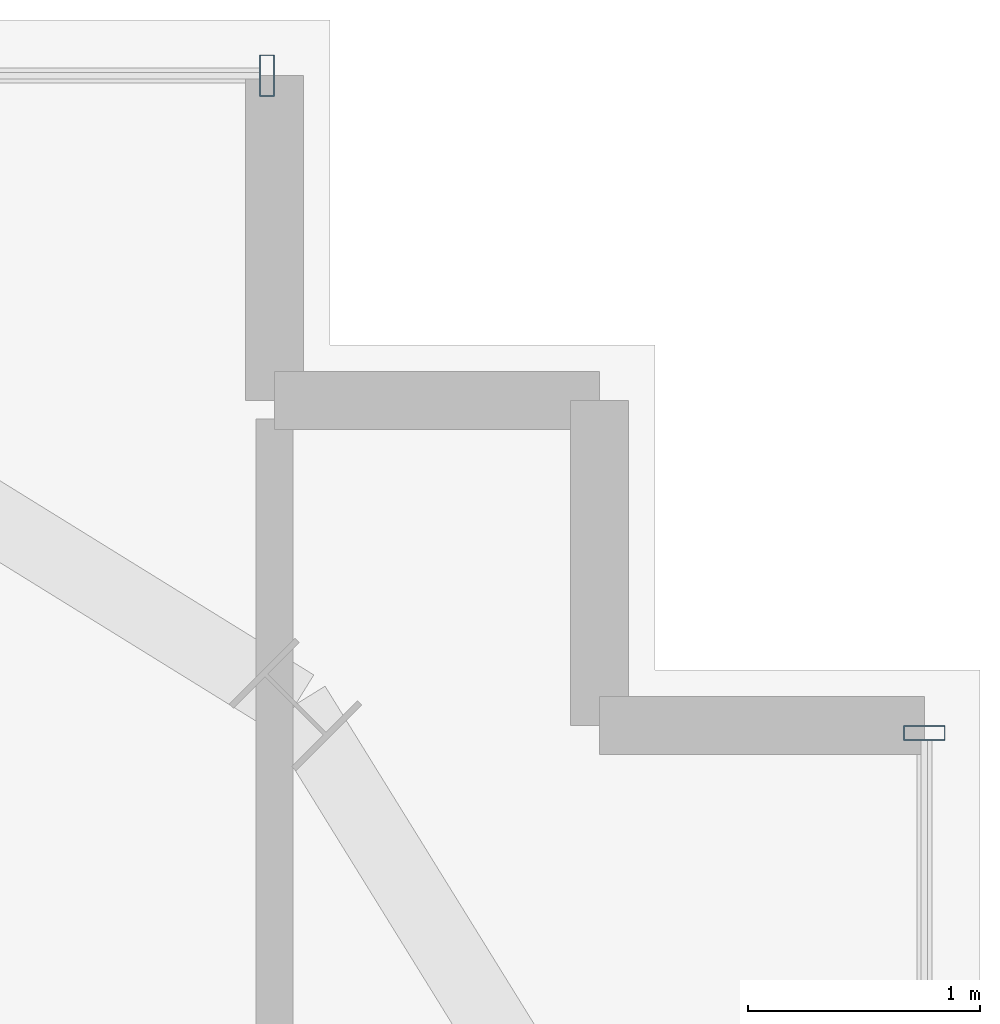
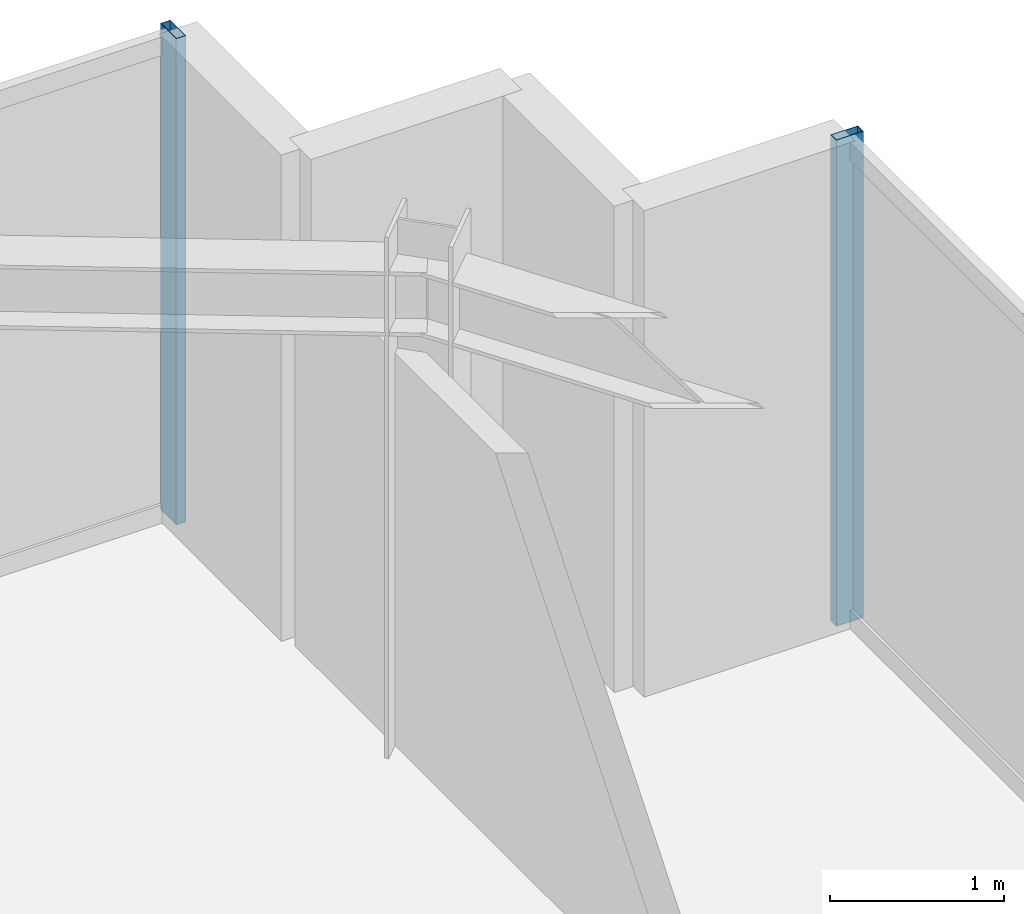
# One storey, part 27 of 35: 2 members, 2 elements without a shape of their own.
"""IFC4 building model written with IfcOpenShell, lengths in metres."""

import ifcopenshell
import ifcopenshell.guid

model = None  # the IFC model being written
_history = None  # IfcOwnerHistory: only IFC2X3 demands one
_inside = {}  # id of a spatial element -> (the spatial element, [elements in it])
_under = {}  # id of a project, library or spatial element -> (it, [spatial elements below it])
_declared = {}  # id of a project -> (the project, [libraries it declares])
_typed = {}  # id of a type object -> (the type object, [elements of that type])
_made_of = {}  # id of a material, layer set ... -> (it, [elements and type objects made of it])


def new_model(schema):
    """Start an empty IFC model of exactly this schema.

    Asked for "IFC4X3", IfcOpenShell would pick the latest addendum, in which some entities
    have other attributes; the version numbers below select the first issue.
    IFC2X3 requires an IfcOwnerHistory on every rooted entity: one is made here for all.
    """
    global model, _history
    if schema == "IFC4X3":
        model = ifcopenshell.file(schema_version=(4, 3, 0, 0))
    else:
        model = ifcopenshell.file(schema=schema)
    _inside.clear()
    _under.clear()
    _declared.clear()
    _typed.clear()
    _made_of.clear()
    _history = None
    if model.schema == "IFC2X3":
        org = make("IfcOrganization", Name="unknown")
        user = make(
            "IfcPersonAndOrganization",
            ThePerson=make("IfcPerson", FamilyName="unknown"),
            TheOrganization=org,
        )
        app = make(
            "IfcApplication",
            ApplicationDeveloper=org,
            Version="unknown",
            ApplicationFullName="unknown",
            ApplicationIdentifier="unknown",
        )
        _history = make(
            "IfcOwnerHistory",
            OwningUser=user,
            OwningApplication=app,
            ChangeAction="ADDED",
            CreationDate=0,
        )
    return model


def make(cls, **values):
    """One entity of the class cls with the attributes given. An attribute that is None is left unset."""
    return model.create_entity(
        cls, **{name: value for name, value in values.items() if value is not None}
    )


def rooted(cls, **values):
    """An entity with a GlobalId (a new one), such as an element, a storey or a relation."""
    return make(cls, GlobalId=ifcopenshell.guid.new(), OwnerHistory=_history, **values)


def si_unit(unit_type, name, prefix=None):
    """IfcSIUnit, for example si_unit("LENGTHUNIT", "METRE", prefix="MILLI")."""
    return make("IfcSIUnit", UnitType=unit_type, Prefix=prefix, Name=name)


def assignment(units):
    """IfcUnitAssignment: the units of a project."""
    return None if units is None else make("IfcUnitAssignment", Units=units)


def point(xyz):
    """IfcCartesianPoint."""
    return None if xyz is None else make("IfcCartesianPoint", Coordinates=xyz)


def direction(xyz):
    """IfcDirection."""
    return None if xyz is None else make("IfcDirection", DirectionRatios=xyz)


def frame(location, z_axis=None, x_axis=None):
    """IfcAxis2Placement3D, a coordinate frame: its origin and axes. An axis left out is left unset."""
    return make(
        "IfcAxis2Placement3D",
        Location=point(location),
        Axis=direction(z_axis),
        RefDirection=direction(x_axis),
    )


def frame_2d(location, x_axis=None):
    """IfcAxis2Placement2D, a coordinate frame in the plane: its origin and x axis."""
    return make(
        "IfcAxis2Placement2D", Location=point(location), RefDirection=direction(x_axis)
    )


def origin():
    """The frame at (0, 0, 0) with its axes left unset."""
    return frame((0.0, 0.0, 0.0))


def origin_2d():
    """The frame at (0, 0) in the plane with its x axis left unset."""
    return frame_2d((0.0, 0.0))


def place(relative_to, where):
    """IfcLocalPlacement: puts the frame where relative to a parent placement (None: the world)."""
    return make(
        "IfcLocalPlacement", PlacementRelTo=relative_to, RelativePlacement=where
    )


def context(
    kind, dimensions, precision=None, world=None, true_north=None, identifier=None
):
    """IfcGeometricRepresentationContext, for example the 3D "Model" context."""
    return make(
        "IfcGeometricRepresentationContext",
        ContextIdentifier=identifier,
        ContextType=kind,
        CoordinateSpaceDimension=dimensions,
        Precision=precision,
        WorldCoordinateSystem=world,
        TrueNorth=true_north,
    )


def subcontext(parent, identifier, kind, view, scale=None):
    """IfcGeometricRepresentationSubContext, for example "Body" below "Model"."""
    return make(
        "IfcGeometricRepresentationSubContext",
        ContextIdentifier=identifier,
        ContextType=kind,
        ParentContext=parent,
        TargetScale=scale,
        TargetView=view,
    )


def project(units=None, contexts=None):
    """IfcProject with its units and contexts."""
    return rooted(
        "IfcProject",
        Name="project",
        RepresentationContexts=contexts,
        UnitsInContext=assignment(units),
    )


def spatial(cls, under=None, at=None, **own):
    """A site, building, storey or space (cls), placed at a placement, below another one or the project."""
    s = rooted(cls, ObjectPlacement=at, **own)
    if under is not None:
        _under.setdefault(under.id(), (under, []))[1].append(s)
    return s


def profile(cls, at=None, kind="AREA", **sizes):
    """A parametric profile (cls). Its sizes go by their IFC names, for example OverallWidth=200.0."""
    return make(cls, ProfileType=kind, Position=at, **sizes)


def hollow_rectangle(**sizes):
    """IfcRectangleHollowProfileDef."""
    return profile("IfcRectangleHollowProfileDef", **sizes)


def extrude(swept, where, along, depth):
    """IfcExtrudedAreaSolid: the profile swept, set in the frame where, extruded along a direction by depth."""
    return make(
        "IfcExtrudedAreaSolid",
        SweptArea=swept,
        Position=where,
        ExtrudedDirection=direction(along),
        Depth=depth,
    )


def shape(context_of_items, identifier, shape_type, items):
    """IfcShapeRepresentation: the items that make up one representation, for example the "Body"."""
    return make(
        "IfcShapeRepresentation",
        ContextOfItems=context_of_items,
        RepresentationIdentifier=identifier,
        RepresentationType=shape_type,
        Items=items,
    )


def source(mapping_origin, context_of_items, identifier, shape_type, items):
    """IfcRepresentationMap: a shape defined once, which mapped items show again and again."""
    return make(
        "IfcRepresentationMap",
        MappingOrigin=mapping_origin,
        MappedRepresentation=shape(context_of_items, identifier, shape_type, items),
    )


def transform(
    local_origin,
    x_axis=None,
    y_axis=None,
    z_axis=None,
    scale=None,
    scale2=None,
    scale3=None,
    uniform=True,
):
    """IfcCartesianTransformationOperator3D, or its non-uniform kind. x_axis, y_axis, z_axis: its Axis1, 2, 3."""
    if uniform:
        return make(
            "IfcCartesianTransformationOperator3D",
            Axis1=direction(x_axis),
            Axis2=direction(y_axis),
            LocalOrigin=point(local_origin),
            Scale=scale,
            Axis3=direction(z_axis),
        )
    return make(
        "IfcCartesianTransformationOperator3DnonUniform",
        Axis1=direction(x_axis),
        Axis2=direction(y_axis),
        LocalOrigin=point(local_origin),
        Scale=scale,
        Axis3=direction(z_axis),
        Scale2=scale2,
        Scale3=scale3,
    )


def mapped(mapping_source, mapping_target):
    """IfcMappedItem: shows the shape of a source again, moved by a transform."""
    return make(
        "IfcMappedItem", MappingSource=mapping_source, MappingTarget=mapping_target
    )


def material(Name=None, Category=None):
    """IfcMaterial."""
    return make("IfcMaterial", Name=Name, Category=Category)


def material_profile(
    of_material, cross_section, Name=None, Category=None, Priority=None
):
    """IfcMaterialProfile: a cross section and its material."""
    return make(
        "IfcMaterialProfile",
        Name=Name,
        Material=of_material,
        Profile=cross_section,
        Priority=Priority,
        Category=Category,
    )


def profile_set(profiles, Name=None, composite=None):
    """IfcMaterialProfileSet."""
    return make(
        "IfcMaterialProfileSet",
        Name=Name,
        MaterialProfiles=profiles,
        CompositeProfile=composite,
    )


def made_of(thing, what):
    """Note that an element or type object is made of a material, layer set ...; save() writes the relation."""
    if what is not None:
        _made_of.setdefault(what.id(), (what, []))[1].append(thing)
    return thing


def type_object(cls, material=None, **own):
    """A type object (cls), such as IfcWallType, which elements share."""
    return made_of(rooted(cls, **own), material)


def element(
    cls,
    number,
    at=None,
    inside=None,
    cuts=None,
    type_object=None,
    material=None,
    context=None,
    identifier="Body",
    shape_type=None,
    held_by="IfcProductDefinitionShape",
    body=None,
    shapes=None,
    **own,
):
    """One element of the class cls, such as IfcWall. Its Tag is "e" and its number.

    at: its placement. inside: the storey or other place that contains it. cuts: it is an
    opening in that element (IfcRelVoidsElement). A single representation is given by context,
    identifier, shape_type and body (its items); several are given by shapes. held_by: the class
    of the entity that holds the representations. save() writes the other relations.
    """
    e = rooted(cls, Tag="e%d" % number, ObjectPlacement=at, **own)
    if body is not None:
        shapes = [shape(context, identifier, shape_type, body)]
    if shapes is not None:
        e.Representation = make(held_by, Representations=shapes)
    if inside is not None:
        _inside.setdefault(inside.id(), (inside, []))[1].append(e)
    if cuts is not None:
        rooted(
            "IfcRelVoidsElement", RelatingBuildingElement=cuts, RelatedOpeningElement=e
        )
    if type_object is not None:
        _typed.setdefault(type_object.id(), (type_object, []))[1].append(e)
    return made_of(e, material)


def aggregate(whole, parts):
    """IfcRelAggregates: a whole, such as a stair, and the parts it consists of."""
    return rooted("IfcRelAggregates", RelatingObject=whole, RelatedObjects=parts)


def save(model, path):
    """Write the relations noted so far, then the file.

    IfcRelAggregates (storeys below a building ...), IfcRelContainedInSpatialStructure (elements
    in a storey), IfcRelDefinesByType, IfcRelAssociatesMaterial and IfcRelDeclares: one each for
    every whole, place, type object, material and project.
    """
    for whole, parts in _under.values():
        aggregate(whole, parts)
    for where, things in _inside.values():
        rooted(
            "IfcRelContainedInSpatialStructure",
            RelatedElements=things,
            RelatingStructure=where,
        )
    for kind, things in _typed.values():
        rooted("IfcRelDefinesByType", RelatedObjects=things, RelatingType=kind)
    for what, things in _made_of.values():
        rooted("IfcRelAssociatesMaterial", RelatedObjects=things, RelatingMaterial=what)
    for by, libraries in _declared.values():
        rooted("IfcRelDeclares", RelatingContext=by, RelatedDefinitions=libraries)
    model.write(path)


model = new_model("IFC4")

# Units and contexts
model_context = context("Model", 3, precision=1e-05, world=origin(), true_north=direction((0.0, 1.0)))
body_context = subcontext(model_context, "Body", "Model", "MODEL_VIEW")
ifc_project = project(units=[si_unit("LENGTHUNIT", "METRE"), si_unit("AREAUNIT", "SQUARE_METRE"), si_unit("VOLUMEUNIT", "CUBIC_METRE"), si_unit("PLANEANGLEUNIT", "RADIAN"), si_unit("MASSUNIT", "GRAM", prefix="KILO")], contexts=[model_context])

# Site, building, storey
site_placement = place(None, origin())
site = spatial("IfcSite", under=ifc_project, at=site_placement, CompositionType="ELEMENT")
building_placement = place(site_placement, origin())
building = spatial("IfcBuilding", under=site, at=building_placement, Name="Nahalor Promenade Grand Hotel", CompositionType="ELEMENT")
storey_placement = place(building_placement, frame((0.0, 0.0, 216.0)))
storey = spatial("IfcBuildingStorey", under=building, at=storey_placement, Name="L55", CompositionType="ELEMENT", Elevation=216.0)

# Curtain wall, member
ifc_material = material(Name="Anodised Bronze Aluminium EN AW-6063 T6", Category="aluminium")
curtain_wall_type = type_object("IfcCurtainWallType", Name="CW2 Typical Hotel Flush Bronze Unitised Curtain Wall", PredefinedType="USERDEFINED", material=ifc_material)
curtain_wall_1_placement = place(storey_placement, origin())
curtain_wall_1 = element("IfcCurtainWall", 1, at=curtain_wall_1_placement, inside=storey, type_object=curtain_wall_type, Name="L55 Curtain Wall CW-L55-N-1", ObjectType="UNITISED_CURTAIN_WALL", PredefinedType="USERDEFINED")
ifc_material_profile = material_profile(ifc_material, hollow_rectangle(XDim=0.065, YDim=0.18, WallThickness=0.004, at=origin_2d()), Name="CWM 65x180x4")
ifc_profile_set = profile_set([ifc_material_profile], Name="Anodised Bronze Aluminium EN AW-6063 T6")
member_type = type_object("IfcMemberType", Name="CWM2 Typical Bronze Mullion 65x180", PredefinedType="MULLION", material=ifc_profile_set)
shared_shape = source(origin(), body_context, "Body", "SweptSolid", [
    extrude(hollow_rectangle(XDim=0.065, YDim=0.18, WallThickness=0.004, at=origin_2d()), origin(), (0.0, 0.0, 1.0), 3.409912109375),
])
member_1_placement = place(storey_placement, frame((21.12744140625, 23.9599609375, 0.0), z_axis=(0.0, 0.0, 1.0), x_axis=(1.0, 0.0, 0.0)))
member_1 = element("IfcMember", 2, at=member_1_placement, type_object=member_type, Name="CW-L55-N-1 Mullion 4", PredefinedType="MULLION", context=body_context, shape_type="MappedRepresentation", body=[
    mapped(shared_shape, transform((0.0, 0.0, 0.0), scale=1.0)),
])
aggregate(curtain_wall_1, [member_1])

curtain_wall_2_placement = place(storey_placement, origin())
curtain_wall_2 = element("IfcCurtainWall", 3, at=curtain_wall_2_placement, inside=storey, type_object=curtain_wall_type, Name="L55 Curtain Wall CW-L55-E-1", ObjectType="UNITISED_CURTAIN_WALL", PredefinedType="USERDEFINED")
member_2_placement = place(storey_placement, frame((23.9599609375, 21.12744140625, 0.0), z_axis=(0.0, 0.0, 1.0), x_axis=(0.0, 1.0, 0.0)))
member_2 = element("IfcMember", 4, at=member_2_placement, type_object=member_type, Name="CW-L55-E-1 Mullion 4", PredefinedType="MULLION", context=body_context, shape_type="MappedRepresentation", body=[
    mapped(shared_shape, transform((0.0, 0.0, 0.0), scale=1.0)),
])
aggregate(curtain_wall_2, [member_2])

save(model, "model.ifc")
